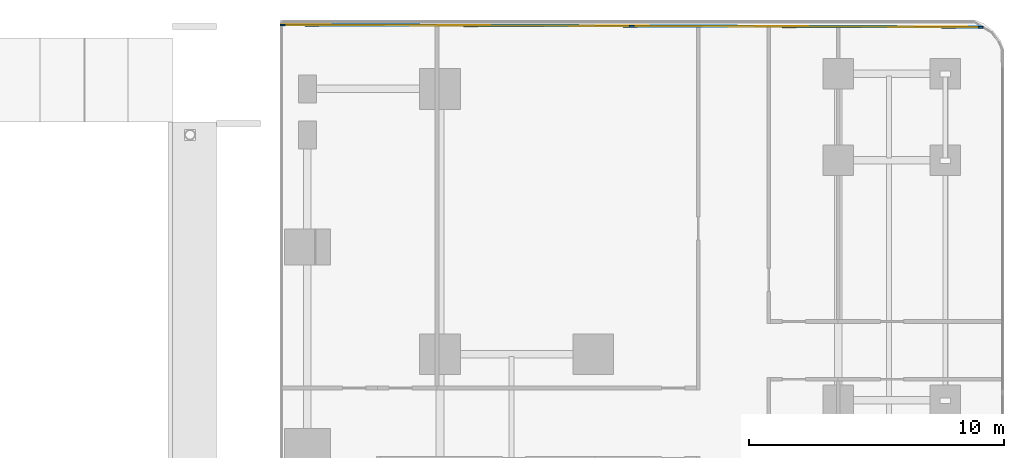
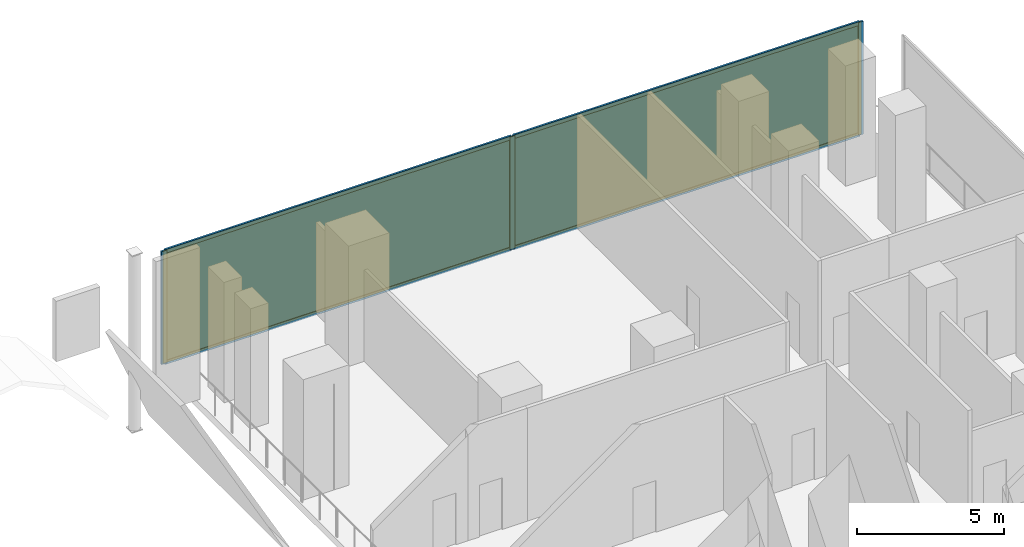
# One storey, part 18 of 31: 7 members, 2 plates, 1 curtain wall.
"""IFC4 building model written with IfcOpenShell, lengths in metres."""

import ifcopenshell
import ifcopenshell.guid

model = None  # the IFC model being written
_history = None  # IfcOwnerHistory: only IFC2X3 demands one
_inside = {}  # id of a spatial element -> (the spatial element, [elements in it])
_under = {}  # id of a project, library or spatial element -> (it, [spatial elements below it])
_declared = {}  # id of a project -> (the project, [libraries it declares])
_typed = {}  # id of a type object -> (the type object, [elements of that type])
_made_of = {}  # id of a material, layer set ... -> (it, [elements and type objects made of it])


def new_model(schema):
    """Start an empty IFC model of exactly this schema.

    Asked for "IFC4X3", IfcOpenShell would pick the latest addendum, in which some entities
    have other attributes; the version numbers below select the first issue.
    IFC2X3 requires an IfcOwnerHistory on every rooted entity: one is made here for all.
    """
    global model, _history
    if schema == "IFC4X3":
        model = ifcopenshell.file(schema_version=(4, 3, 0, 0))
    else:
        model = ifcopenshell.file(schema=schema)
    _inside.clear()
    _under.clear()
    _declared.clear()
    _typed.clear()
    _made_of.clear()
    _history = None
    if model.schema == "IFC2X3":
        org = make("IfcOrganization", Name="unknown")
        user = make(
            "IfcPersonAndOrganization",
            ThePerson=make("IfcPerson", FamilyName="unknown"),
            TheOrganization=org,
        )
        app = make(
            "IfcApplication",
            ApplicationDeveloper=org,
            Version="unknown",
            ApplicationFullName="unknown",
            ApplicationIdentifier="unknown",
        )
        _history = make(
            "IfcOwnerHistory",
            OwningUser=user,
            OwningApplication=app,
            ChangeAction="ADDED",
            CreationDate=0,
        )
    return model


def make(cls, **values):
    """One entity of the class cls with the attributes given. An attribute that is None is left unset."""
    return model.create_entity(
        cls, **{name: value for name, value in values.items() if value is not None}
    )


def rooted(cls, **values):
    """An entity with a GlobalId (a new one), such as an element, a storey or a relation."""
    return make(cls, GlobalId=ifcopenshell.guid.new(), OwnerHistory=_history, **values)


def si_unit(unit_type, name, prefix=None):
    """IfcSIUnit, for example si_unit("LENGTHUNIT", "METRE", prefix="MILLI")."""
    return make("IfcSIUnit", UnitType=unit_type, Prefix=prefix, Name=name)


def assignment(units):
    """IfcUnitAssignment: the units of a project."""
    return None if units is None else make("IfcUnitAssignment", Units=units)


def point(xyz):
    """IfcCartesianPoint."""
    return None if xyz is None else make("IfcCartesianPoint", Coordinates=xyz)


def direction(xyz):
    """IfcDirection."""
    return None if xyz is None else make("IfcDirection", DirectionRatios=xyz)


def frame(location, z_axis=None, x_axis=None):
    """IfcAxis2Placement3D, a coordinate frame: its origin and axes. An axis left out is left unset."""
    return make(
        "IfcAxis2Placement3D",
        Location=point(location),
        Axis=direction(z_axis),
        RefDirection=direction(x_axis),
    )


def frame_2d(location, x_axis=None):
    """IfcAxis2Placement2D, a coordinate frame in the plane: its origin and x axis."""
    return make(
        "IfcAxis2Placement2D", Location=point(location), RefDirection=direction(x_axis)
    )


def origin():
    """The frame at (0, 0, 0) with its axes left unset."""
    return frame((0.0, 0.0, 0.0))


def origin_2d():
    """The frame at (0, 0) in the plane with its x axis left unset."""
    return frame_2d((0.0, 0.0))


def place(relative_to, where):
    """IfcLocalPlacement: puts the frame where relative to a parent placement (None: the world)."""
    return make(
        "IfcLocalPlacement", PlacementRelTo=relative_to, RelativePlacement=where
    )


def context(
    kind, dimensions, precision=None, world=None, true_north=None, identifier=None
):
    """IfcGeometricRepresentationContext, for example the 3D "Model" context."""
    return make(
        "IfcGeometricRepresentationContext",
        ContextIdentifier=identifier,
        ContextType=kind,
        CoordinateSpaceDimension=dimensions,
        Precision=precision,
        WorldCoordinateSystem=world,
        TrueNorth=true_north,
    )


def subcontext(parent, identifier, kind, view, scale=None):
    """IfcGeometricRepresentationSubContext, for example "Body" below "Model"."""
    return make(
        "IfcGeometricRepresentationSubContext",
        ContextIdentifier=identifier,
        ContextType=kind,
        ParentContext=parent,
        TargetScale=scale,
        TargetView=view,
    )


def project(units=None, contexts=None):
    """IfcProject with its units and contexts."""
    return rooted(
        "IfcProject",
        Name="project",
        RepresentationContexts=contexts,
        UnitsInContext=assignment(units),
    )


def spatial(cls, under=None, at=None, **own):
    """A site, building, storey or space (cls), placed at a placement, below another one or the project."""
    s = rooted(cls, ObjectPlacement=at, **own)
    if under is not None:
        _under.setdefault(under.id(), (under, []))[1].append(s)
    return s


def profile(cls, at=None, kind="AREA", **sizes):
    """A parametric profile (cls). Its sizes go by their IFC names, for example OverallWidth=200.0."""
    return make(cls, ProfileType=kind, Position=at, **sizes)


def rectangle(**sizes):
    """IfcRectangleProfileDef."""
    return profile("IfcRectangleProfileDef", **sizes)


def extrude(swept, where, along, depth):
    """IfcExtrudedAreaSolid: the profile swept, set in the frame where, extruded along a direction by depth."""
    return make(
        "IfcExtrudedAreaSolid",
        SweptArea=swept,
        Position=where,
        ExtrudedDirection=direction(along),
        Depth=depth,
    )


def shape(context_of_items, identifier, shape_type, items):
    """IfcShapeRepresentation: the items that make up one representation, for example the "Body"."""
    return make(
        "IfcShapeRepresentation",
        ContextOfItems=context_of_items,
        RepresentationIdentifier=identifier,
        RepresentationType=shape_type,
        Items=items,
    )


def material(Name=None, Category=None):
    """IfcMaterial."""
    return make("IfcMaterial", Name=Name, Category=Category)


def layer(
    of_material, thickness, ventilated=None, Name=None, Category=None, Priority=None
):
    """IfcMaterialLayer: one layer of a wall or slab, of a material (None: an air gap)."""
    return make(
        "IfcMaterialLayer",
        Material=of_material,
        LayerThickness=thickness,
        IsVentilated=ventilated,
        Name=Name,
        Category=Category,
        Priority=Priority,
    )


def layer_set(layers, Name=None):
    """IfcMaterialLayerSet."""
    return make("IfcMaterialLayerSet", MaterialLayers=layers, LayerSetName=Name)


def material_profile(
    of_material, cross_section, Name=None, Category=None, Priority=None
):
    """IfcMaterialProfile: a cross section and its material."""
    return make(
        "IfcMaterialProfile",
        Name=Name,
        Material=of_material,
        Profile=cross_section,
        Priority=Priority,
        Category=Category,
    )


def profile_set(profiles, Name=None, composite=None):
    """IfcMaterialProfileSet."""
    return make(
        "IfcMaterialProfileSet",
        Name=Name,
        MaterialProfiles=profiles,
        CompositeProfile=composite,
    )


def made_of(thing, what):
    """Note that an element or type object is made of a material, layer set ...; save() writes the relation."""
    if what is not None:
        _made_of.setdefault(what.id(), (what, []))[1].append(thing)
    return thing


def type_object(cls, material=None, **own):
    """A type object (cls), such as IfcWallType, which elements share."""
    return made_of(rooted(cls, **own), material)


def element(
    cls,
    number,
    at=None,
    inside=None,
    cuts=None,
    type_object=None,
    material=None,
    context=None,
    identifier="Body",
    shape_type=None,
    held_by="IfcProductDefinitionShape",
    body=None,
    shapes=None,
    **own,
):
    """One element of the class cls, such as IfcWall. Its Tag is "e" and its number.

    at: its placement. inside: the storey or other place that contains it. cuts: it is an
    opening in that element (IfcRelVoidsElement). A single representation is given by context,
    identifier, shape_type and body (its items); several are given by shapes. held_by: the class
    of the entity that holds the representations. save() writes the other relations.
    """
    e = rooted(cls, Tag="e%d" % number, ObjectPlacement=at, **own)
    if body is not None:
        shapes = [shape(context, identifier, shape_type, body)]
    if shapes is not None:
        e.Representation = make(held_by, Representations=shapes)
    if inside is not None:
        _inside.setdefault(inside.id(), (inside, []))[1].append(e)
    if cuts is not None:
        rooted(
            "IfcRelVoidsElement", RelatingBuildingElement=cuts, RelatedOpeningElement=e
        )
    if type_object is not None:
        _typed.setdefault(type_object.id(), (type_object, []))[1].append(e)
    return made_of(e, material)


def aggregate(whole, parts):
    """IfcRelAggregates: a whole, such as a stair, and the parts it consists of."""
    return rooted("IfcRelAggregates", RelatingObject=whole, RelatedObjects=parts)


def save(model, path):
    """Write the relations noted so far, then the file.

    IfcRelAggregates (storeys below a building ...), IfcRelContainedInSpatialStructure (elements
    in a storey), IfcRelDefinesByType, IfcRelAssociatesMaterial and IfcRelDeclares: one each for
    every whole, place, type object, material and project.
    """
    for whole, parts in _under.values():
        aggregate(whole, parts)
    for where, things in _inside.values():
        rooted(
            "IfcRelContainedInSpatialStructure",
            RelatedElements=things,
            RelatingStructure=where,
        )
    for kind, things in _typed.values():
        rooted("IfcRelDefinesByType", RelatedObjects=things, RelatingType=kind)
    for what, things in _made_of.values():
        rooted("IfcRelAssociatesMaterial", RelatedObjects=things, RelatingMaterial=what)
    for by, libraries in _declared.values():
        rooted("IfcRelDeclares", RelatingContext=by, RelatedDefinitions=libraries)
    model.write(path)


model = new_model("IFC4")

# Units and contexts
model_context = context("Model", 3, precision=1e-05, world=origin(), true_north=direction((0.0, 1.0)))
body_context = subcontext(model_context, "Body", "Model", "MODEL_VIEW")
ifc_project = project(units=[si_unit("LENGTHUNIT", "METRE"), si_unit("AREAUNIT", "SQUARE_METRE"), si_unit("VOLUMEUNIT", "CUBIC_METRE"), si_unit("PLANEANGLEUNIT", "RADIAN"), si_unit("MASSUNIT", "GRAM", prefix="KILO")], contexts=[model_context])

# Member
ifc_material_1 = material(Name="Anodised Bronze Aluminium 6063-T6", Category="aluminium")
ifc_material_profile_1 = material_profile(ifc_material_1, rectangle(XDim=0.074951171875, YDim=0.199951171875, at=origin_2d()))
ifc_profile_set_1 = profile_set([ifc_material_profile_1], Name="Anodised Bronze Aluminium 6063-T6")
member_type_1 = type_object("IfcMemberType", Name="CW-POD Mullion 75x200", PredefinedType="MULLION", material=ifc_profile_set_1)
site_placement = place(None, origin())
building_placement = place(site_placement, origin())
storey_placement = place(building_placement, frame((0.0, 0.0, 11.0)))
member_1_placement = place(storey_placement, frame((8.237548828125, 27.304931640625, 0.0), z_axis=(0.0, 0.0, 1.0), x_axis=(0.003140108449, 0.999995069847, 0.0)))
member_1 = element("IfcMember", 1, at=member_1_placement, type_object=member_type_1, Name="CW-POD mullion 1", PredefinedType="MULLION", context=body_context, shape_type="SweptSolid", body=[
    extrude(rectangle(XDim=0.074951171875, YDim=0.199951171875, at=origin_2d()), origin(), (0.0, 0.0, 1.0), 4.699951171875),
])

member_2_placement = place(storey_placement, frame((21.90966796875, 27.261962890625, 0.0), z_axis=(0.0, 0.0, 1.0), x_axis=(0.003140108449, 0.999995069847, 0.0)))
member_2 = element("IfcMember", 2, at=member_2_placement, type_object=member_type_1, Name="CW-POD mullion 2", PredefinedType="MULLION", context=body_context, shape_type="SweptSolid", body=[
    extrude(rectangle(XDim=0.074951171875, YDim=0.199951171875, at=origin_2d()), origin(), (0.0, 0.0, 1.0), 4.699951171875),
])

member_3_placement = place(storey_placement, frame((35.581787109375, 27.21923828125, 0.0), z_axis=(0.0, 0.0, 1.0), x_axis=(0.003140108449, 0.999995069847, 0.0)))
member_3 = element("IfcMember", 3, at=member_3_placement, type_object=member_type_1, Name="CW-POD mullion 3", PredefinedType="MULLION", context=body_context, shape_type="SweptSolid", body=[
    extrude(rectangle(XDim=0.074951171875, YDim=0.199951171875, at=origin_2d()), origin(), (0.0, 0.0, 1.0), 4.699951171875),
])

ifc_material_2 = material(Name="Anodised Bronze Aluminium 6063-T6", Category="aluminium")
ifc_material_profile_2 = material_profile(ifc_material_2, rectangle(XDim=0.074951171875, YDim=0.159912109375, at=origin_2d()))
ifc_profile_set_2 = profile_set([ifc_material_profile_2], Name="Anodised Bronze Aluminium 6063-T6")
member_type_2 = type_object("IfcMemberType", Name="CW-POD Transom 75x160", PredefinedType="USERDEFINED", material=ifc_profile_set_2)
member_4_placement = place(storey_placement, frame((8.27490234375, 27.304931640625, 0.03759765625), z_axis=(0.999995063421, -0.003142154202, 0.0), x_axis=(0.003142154202, 0.999995063421, 0.0)))
member_4 = element("IfcMember", 4, at=member_4_placement, type_object=member_type_2, Name="CW-POD transom 1.1", ObjectType="TRANSOM", PredefinedType="USERDEFINED", context=body_context, shape_type="SweptSolid", body=[
    extrude(rectangle(XDim=0.074951171875, YDim=0.159912109375, at=origin_2d()), origin(), (0.0, 0.0, 1.0), 13.59716796875),
])

member_5_placement = place(storey_placement, frame((8.27490234375, 27.304931640625, 4.66259765625), z_axis=(0.999995063421, -0.003142154202, 0.0), x_axis=(0.003142154202, 0.999995063421, 0.0)))
member_5 = element("IfcMember", 5, at=member_5_placement, type_object=member_type_2, Name="CW-POD transom 1.2", ObjectType="TRANSOM", PredefinedType="USERDEFINED", context=body_context, shape_type="SweptSolid", body=[
    extrude(rectangle(XDim=0.074951171875, YDim=0.159912109375, at=origin_2d()), origin(), (0.0, 0.0, 1.0), 13.59716796875),
])

member_6_placement = place(storey_placement, frame((21.947265625, 27.261962890625, 0.03759765625), z_axis=(0.999995063244, -0.00314221062, 0.0), x_axis=(0.00314221062, 0.999995063244, 0.0)))
member_6 = element("IfcMember", 6, at=member_6_placement, type_object=member_type_2, Name="CW-POD transom 2.1", ObjectType="TRANSOM", PredefinedType="USERDEFINED", context=body_context, shape_type="SweptSolid", body=[
    extrude(rectangle(XDim=0.074951171875, YDim=0.159912109375, at=origin_2d()), origin(), (0.0, 0.0, 1.0), 13.596923828125),
])

member_7_placement = place(storey_placement, frame((21.947265625, 27.261962890625, 4.66259765625), z_axis=(0.999995063244, -0.00314221062, 0.0), x_axis=(0.00314221062, 0.999995063244, 0.0)))
member_7 = element("IfcMember", 7, at=member_7_placement, type_object=member_type_2, Name="CW-POD transom 2.2", ObjectType="TRANSOM", PredefinedType="USERDEFINED", context=body_context, shape_type="SweptSolid", body=[
    extrude(rectangle(XDim=0.074951171875, YDim=0.159912109375, at=origin_2d()), origin(), (0.0, 0.0, 1.0), 13.596923828125),
])

# Plate
ifc_material_3 = material(Name="Low-E Solar Control Laminated Glass", Category="glass")
ifc_layer_1 = layer(ifc_material_3, 0.031982421875, Name="Low-E Solar Control Laminated Glass")
ifc_layer_set_1 = layer_set([ifc_layer_1], Name="Low-E Solar Control Laminated Glass")
plate_type = type_object("IfcPlateType", Name="CW-POD Low-E Double Glazed Panel 32mm", PredefinedType="CURTAIN_PANEL", material=ifc_layer_set_1)
plate_1_placement = place(storey_placement, frame((15.073486328125, 27.283447265625, 0.0751953125), z_axis=(0.0, 0.0, 1.0), x_axis=(0.999995069847, -0.003140108449, 0.0)))
plate_1 = element("IfcPlate", 8, at=plate_1_placement, type_object=plate_type, Name="CW-POD panel 1.1", PredefinedType="CURTAIN_PANEL", context=body_context, shape_type="SweptSolid", body=[
    extrude(rectangle(XDim=13.59716796875, YDim=0.031982421875, at=origin_2d()), origin(), (0.0, 0.0, 1.0), 4.550048828125),
])

plate_2_placement = place(storey_placement, frame((28.74560546875, 27.240478515625, 0.0751953125), z_axis=(0.0, 0.0, 1.0), x_axis=(0.999995069847, -0.003140108449, 0.0)))
plate_2 = element("IfcPlate", 9, at=plate_2_placement, type_object=plate_type, Name="CW-POD panel 2.1", PredefinedType="CURTAIN_PANEL", context=body_context, shape_type="SweptSolid", body=[
    extrude(rectangle(XDim=13.59716796875, YDim=0.031982421875, at=origin_2d()), origin(), (0.0, 0.0, 1.0), 4.550048828125),
])

# Site, building, storey
site = spatial("IfcSite", under=ifc_project, at=site_placement, CompositionType="ELEMENT")
building = spatial("IfcBuilding", under=site, at=building_placement, Name="Khairoan Windgate Tower", CompositionType="ELEMENT")
storey = spatial("IfcBuildingStorey", under=building, at=storey_placement, Name="L03", CompositionType="ELEMENT", Elevation=11.0)

# Curtain wall
ifc_material_4 = material(Name="Anodised Bronze Aluminium 6063-T6", Category="aluminium")
ifc_layer_2 = layer(ifc_material_4, 0.199951171875, Name="Anodised Bronze Aluminium 6063-T6")
ifc_layer_set_2 = layer_set([ifc_layer_2], Name="Anodised Bronze Aluminium 6063-T6")
curtain_wall_type = type_object("IfcCurtainWallType", Name="Podium Arch Galleria Curtain Wall CW-POD", PredefinedType="NOTDEFINED", material=ifc_layer_set_2)
curtain_wall_placement = place(storey_placement, frame((8.199951171875, 27.30517578125, 0.0), z_axis=(0.0, 0.0, 1.0), x_axis=(0.999995060541, -0.003143070576, 0.0)))
curtain_wall = element("IfcCurtainWall", 10, at=curtain_wall_placement, inside=storey, type_object=curtain_wall_type, Name="L03 Sculpted Podium Wing Curtain Wall 2.2", PredefinedType="NOTDEFINED", context=body_context, shape_type="SweptSolid", body=[
    extrude(rectangle(XDim=27.419677734375, YDim=0.010009765625, at=frame_2d((13.7099609375, 0.0))), origin(), (0.0, 0.0, 1.0), 4.699951171875),
])

aggregate(curtain_wall, [member_1, member_2, member_3, member_4, member_5, plate_1, member_6, member_7, plate_2])

save(model, "model.ifc")
